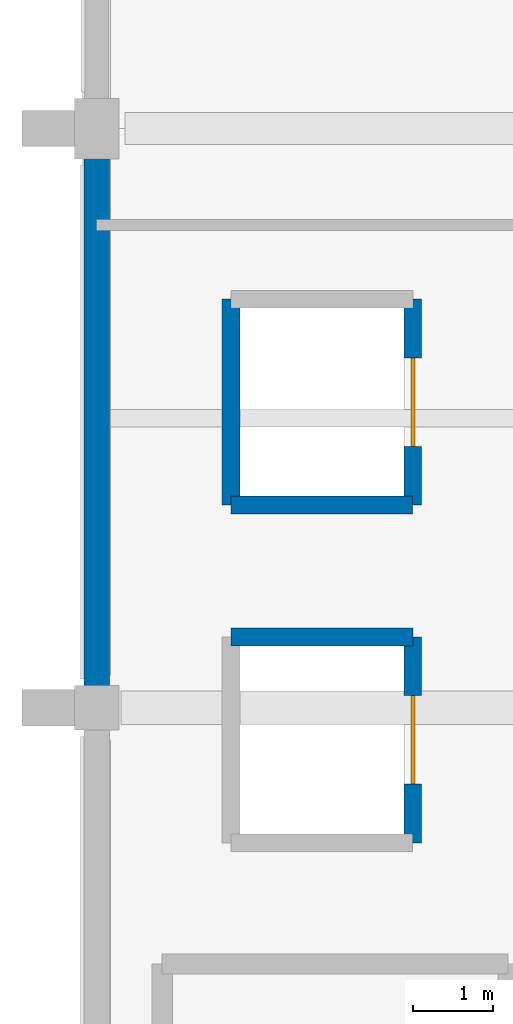
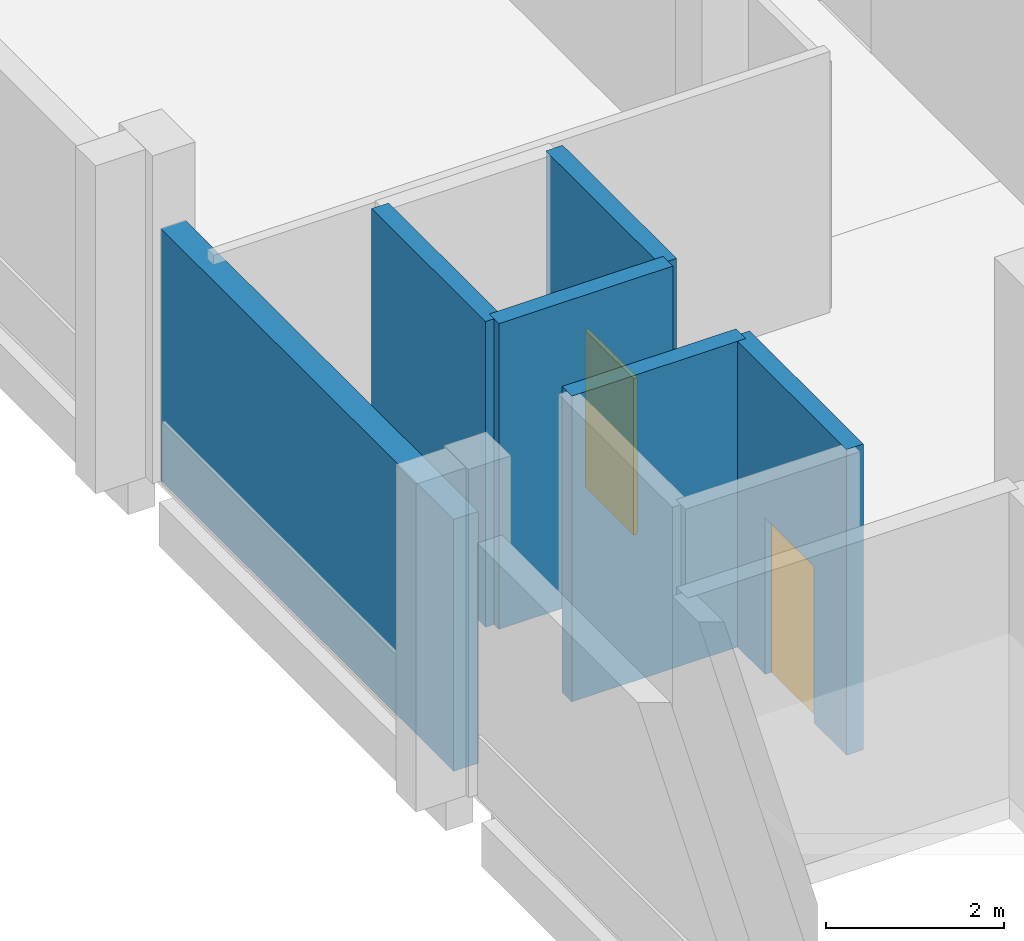
# One storey, part 72 of 87: 6 walls, 2 doors, 2 openings.
"""IFC4 building model written with IfcOpenShell, lengths in metres."""

import ifcopenshell
import ifcopenshell.guid

model = None  # the IFC model being written
_history = None  # IfcOwnerHistory: only IFC2X3 demands one
_inside = {}  # id of a spatial element -> (the spatial element, [elements in it])
_under = {}  # id of a project, library or spatial element -> (it, [spatial elements below it])
_declared = {}  # id of a project -> (the project, [libraries it declares])
_typed = {}  # id of a type object -> (the type object, [elements of that type])
_made_of = {}  # id of a material, layer set ... -> (it, [elements and type objects made of it])


def new_model(schema):
    """Start an empty IFC model of exactly this schema.

    Asked for "IFC4X3", IfcOpenShell would pick the latest addendum, in which some entities
    have other attributes; the version numbers below select the first issue.
    IFC2X3 requires an IfcOwnerHistory on every rooted entity: one is made here for all.
    """
    global model, _history
    if schema == "IFC4X3":
        model = ifcopenshell.file(schema_version=(4, 3, 0, 0))
    else:
        model = ifcopenshell.file(schema=schema)
    _inside.clear()
    _under.clear()
    _declared.clear()
    _typed.clear()
    _made_of.clear()
    _history = None
    if model.schema == "IFC2X3":
        org = make("IfcOrganization", Name="unknown")
        user = make(
            "IfcPersonAndOrganization",
            ThePerson=make("IfcPerson", FamilyName="unknown"),
            TheOrganization=org,
        )
        app = make(
            "IfcApplication",
            ApplicationDeveloper=org,
            Version="unknown",
            ApplicationFullName="unknown",
            ApplicationIdentifier="unknown",
        )
        _history = make(
            "IfcOwnerHistory",
            OwningUser=user,
            OwningApplication=app,
            ChangeAction="ADDED",
            CreationDate=0,
        )
    return model


def make(cls, **values):
    """One entity of the class cls with the attributes given. An attribute that is None is left unset."""
    return model.create_entity(
        cls, **{name: value for name, value in values.items() if value is not None}
    )


def rooted(cls, **values):
    """An entity with a GlobalId (a new one), such as an element, a storey or a relation."""
    return make(cls, GlobalId=ifcopenshell.guid.new(), OwnerHistory=_history, **values)


def si_unit(unit_type, name, prefix=None):
    """IfcSIUnit, for example si_unit("LENGTHUNIT", "METRE", prefix="MILLI")."""
    return make("IfcSIUnit", UnitType=unit_type, Prefix=prefix, Name=name)


def assignment(units):
    """IfcUnitAssignment: the units of a project."""
    return None if units is None else make("IfcUnitAssignment", Units=units)


def point(xyz):
    """IfcCartesianPoint."""
    return None if xyz is None else make("IfcCartesianPoint", Coordinates=xyz)


def direction(xyz):
    """IfcDirection."""
    return None if xyz is None else make("IfcDirection", DirectionRatios=xyz)


def frame(location, z_axis=None, x_axis=None):
    """IfcAxis2Placement3D, a coordinate frame: its origin and axes. An axis left out is left unset."""
    return make(
        "IfcAxis2Placement3D",
        Location=point(location),
        Axis=direction(z_axis),
        RefDirection=direction(x_axis),
    )


def frame_2d(location, x_axis=None):
    """IfcAxis2Placement2D, a coordinate frame in the plane: its origin and x axis."""
    return make(
        "IfcAxis2Placement2D", Location=point(location), RefDirection=direction(x_axis)
    )


def origin():
    """The frame at (0, 0, 0) with its axes left unset."""
    return frame((0.0, 0.0, 0.0))


def place(relative_to, where):
    """IfcLocalPlacement: puts the frame where relative to a parent placement (None: the world)."""
    return make(
        "IfcLocalPlacement", PlacementRelTo=relative_to, RelativePlacement=where
    )


def context(
    kind, dimensions, precision=None, world=None, true_north=None, identifier=None
):
    """IfcGeometricRepresentationContext, for example the 3D "Model" context."""
    return make(
        "IfcGeometricRepresentationContext",
        ContextIdentifier=identifier,
        ContextType=kind,
        CoordinateSpaceDimension=dimensions,
        Precision=precision,
        WorldCoordinateSystem=world,
        TrueNorth=true_north,
    )


def subcontext(parent, identifier, kind, view, scale=None):
    """IfcGeometricRepresentationSubContext, for example "Body" below "Model"."""
    return make(
        "IfcGeometricRepresentationSubContext",
        ContextIdentifier=identifier,
        ContextType=kind,
        ParentContext=parent,
        TargetScale=scale,
        TargetView=view,
    )


def project(units=None, contexts=None):
    """IfcProject with its units and contexts."""
    return rooted(
        "IfcProject",
        Name="project",
        RepresentationContexts=contexts,
        UnitsInContext=assignment(units),
    )


def spatial(cls, under=None, at=None, **own):
    """A site, building, storey or space (cls), placed at a placement, below another one or the project."""
    s = rooted(cls, ObjectPlacement=at, **own)
    if under is not None:
        _under.setdefault(under.id(), (under, []))[1].append(s)
    return s


def profile(cls, at=None, kind="AREA", **sizes):
    """A parametric profile (cls). Its sizes go by their IFC names, for example OverallWidth=200.0."""
    return make(cls, ProfileType=kind, Position=at, **sizes)


def rectangle(**sizes):
    """IfcRectangleProfileDef."""
    return profile("IfcRectangleProfileDef", **sizes)


def extrude(swept, where, along, depth):
    """IfcExtrudedAreaSolid: the profile swept, set in the frame where, extruded along a direction by depth."""
    return make(
        "IfcExtrudedAreaSolid",
        SweptArea=swept,
        Position=where,
        ExtrudedDirection=direction(along),
        Depth=depth,
    )


def shape(context_of_items, identifier, shape_type, items):
    """IfcShapeRepresentation: the items that make up one representation, for example the "Body"."""
    return make(
        "IfcShapeRepresentation",
        ContextOfItems=context_of_items,
        RepresentationIdentifier=identifier,
        RepresentationType=shape_type,
        Items=items,
    )


def material(Name=None, Category=None):
    """IfcMaterial."""
    return make("IfcMaterial", Name=Name, Category=Category)


def layer(
    of_material, thickness, ventilated=None, Name=None, Category=None, Priority=None
):
    """IfcMaterialLayer: one layer of a wall or slab, of a material (None: an air gap)."""
    return make(
        "IfcMaterialLayer",
        Material=of_material,
        LayerThickness=thickness,
        IsVentilated=ventilated,
        Name=Name,
        Category=Category,
        Priority=Priority,
    )


def layer_set(layers, Name=None):
    """IfcMaterialLayerSet."""
    return make("IfcMaterialLayerSet", MaterialLayers=layers, LayerSetName=Name)


def made_of(thing, what):
    """Note that an element or type object is made of a material, layer set ...; save() writes the relation."""
    if what is not None:
        _made_of.setdefault(what.id(), (what, []))[1].append(thing)
    return thing


def type_object(cls, material=None, **own):
    """A type object (cls), such as IfcWallType, which elements share."""
    return made_of(rooted(cls, **own), material)


def element(
    cls,
    number,
    at=None,
    inside=None,
    cuts=None,
    type_object=None,
    material=None,
    context=None,
    identifier="Body",
    shape_type=None,
    held_by="IfcProductDefinitionShape",
    body=None,
    shapes=None,
    **own,
):
    """One element of the class cls, such as IfcWall. Its Tag is "e" and its number.

    at: its placement. inside: the storey or other place that contains it. cuts: it is an
    opening in that element (IfcRelVoidsElement). A single representation is given by context,
    identifier, shape_type and body (its items); several are given by shapes. held_by: the class
    of the entity that holds the representations. save() writes the other relations.
    """
    e = rooted(cls, Tag="e%d" % number, ObjectPlacement=at, **own)
    if body is not None:
        shapes = [shape(context, identifier, shape_type, body)]
    if shapes is not None:
        e.Representation = make(held_by, Representations=shapes)
    if inside is not None:
        _inside.setdefault(inside.id(), (inside, []))[1].append(e)
    if cuts is not None:
        rooted(
            "IfcRelVoidsElement", RelatingBuildingElement=cuts, RelatedOpeningElement=e
        )
    if type_object is not None:
        _typed.setdefault(type_object.id(), (type_object, []))[1].append(e)
    return made_of(e, material)


def fill(opening, filler):
    """IfcRelFillsElement: the door or window that sits in an opening."""
    return rooted(
        "IfcRelFillsElement",
        RelatingOpeningElement=opening,
        RelatedBuildingElement=filler,
    )


def aggregate(whole, parts):
    """IfcRelAggregates: a whole, such as a stair, and the parts it consists of."""
    return rooted("IfcRelAggregates", RelatingObject=whole, RelatedObjects=parts)


def save(model, path):
    """Write the relations noted so far, then the file.

    IfcRelAggregates (storeys below a building ...), IfcRelContainedInSpatialStructure (elements
    in a storey), IfcRelDefinesByType, IfcRelAssociatesMaterial and IfcRelDeclares: one each for
    every whole, place, type object, material and project.
    """
    for whole, parts in _under.values():
        aggregate(whole, parts)
    for where, things in _inside.values():
        rooted(
            "IfcRelContainedInSpatialStructure",
            RelatedElements=things,
            RelatingStructure=where,
        )
    for kind, things in _typed.values():
        rooted("IfcRelDefinesByType", RelatedObjects=things, RelatingType=kind)
    for what, things in _made_of.values():
        rooted("IfcRelAssociatesMaterial", RelatedObjects=things, RelatingMaterial=what)
    for by, libraries in _declared.values():
        rooted("IfcRelDeclares", RelatingContext=by, RelatedDefinitions=libraries)
    model.write(path)


model = new_model("IFC4")

# Units and contexts
model_context = context("Model", 3, precision=1e-05, world=origin(), true_north=direction((0.0, 1.0)))
body_context = subcontext(model_context, "Body", "Model", "MODEL_VIEW")
ifc_project = project(units=[si_unit("LENGTHUNIT", "METRE"), si_unit("AREAUNIT", "SQUARE_METRE"), si_unit("VOLUMEUNIT", "CUBIC_METRE"), si_unit("PLANEANGLEUNIT", "RADIAN"), si_unit("MASSUNIT", "GRAM", prefix="KILO")], contexts=[model_context])

# Site, building, storey
site_placement = place(None, origin())
site = spatial("IfcSite", under=ifc_project, at=site_placement, CompositionType="ELEMENT")
building_placement = place(site_placement, origin())
building = spatial("IfcBuilding", under=site, at=building_placement, Name="Kalluvel Institute of Natural Sciences", CompositionType="ELEMENT")
storey_placement = place(building_placement, frame((0.0, 0.0, 18.89990234375)))
storey = spatial("IfcBuildingStorey", under=building, at=storey_placement, Name="L04", CompositionType="ELEMENT", Elevation=18.89990234375)

# Wall
ifc_material_1 = material(Name="Sadarahalli Grey Granite Ashlar Concrete M40", Category="masonry")
ifc_layer_1 = layer(ifc_material_1, 0.320068359375)
ifc_layer_set_1 = layer_set([ifc_layer_1], Name="Sadarahalli Grey Granite Ashlar Concrete M40")
wall_type_1 = type_object("IfcWallType", Name="WL-EXT-320", PredefinedType="SOLIDWALL", material=ifc_layer_set_1)
wall_1_placement = place(storey_placement, frame((14.0, 57.455078125, 0.0), z_axis=(0.0, 0.0, 1.0), x_axis=(0.0, 1.0, 0.0)))
element("IfcWall", 1, at=wall_1_placement, inside=storey, type_object=wall_type_1, Name="L04 Sadarahalli granite exterior wall WL-EXT-L04-0184", PredefinedType="SOLIDWALL", context=body_context, shape_type="SweptSolid", body=[
    extrude(rectangle(XDim=6.58984375, YDim=0.320068359375, at=frame_2d((3.294921875, 0.0))), origin(), (0.0, 0.0, 1.0), 3.455078125),
])

# Wall, opening, door
ifc_material_2 = material(Name="Concrete M40", Category="concrete")
ifc_layer_2 = layer(ifc_material_2, 0.219970703125)
ifc_layer_set_2 = layer_set([ifc_layer_2], Name="Concrete M40")
wall_type_2 = type_object("IfcWallType", Name="WL-SHAFT-220", PredefinedType="SHEAR", material=ifc_layer_set_2)
wall_2_placement = place(storey_placement, frame((17.929931640625, 55.52001953125, 0.0), z_axis=(0.0, 0.0, 1.0), x_axis=(0.0, 1.0, 0.0)))
wall_2 = element("IfcWall", 2, at=wall_2_placement, inside=storey, type_object=wall_type_2, Name="LF6 L04 lift shaft wall", PredefinedType="SHEAR", context=body_context, shape_type="SweptSolid", body=[
    extrude(rectangle(XDim=2.56005859375, YDim=0.219970703125, at=frame_2d((1.280029296875, 0.0))), origin(), (0.0, 0.0, 1.0), 4.195068359375),
])
opening_1_placement = place(wall_2_placement, frame((0.72998046875, 0.0, 0.0)))
opening_1 = element("IfcOpeningElement", 3, at=opening_1_placement, cuts=wall_2, Name="Opening LD-048", PredefinedType="OPENING", context=body_context, shape_type="SweptSolid", body=[
    extrude(rectangle(XDim=1.10009765625, YDim=2.14990234375, at=frame_2d((0.550048828125, 1.074951171875))), frame((0.0, 0.119873046875, 0.0), z_axis=(0.0, -1.0, 0.0), x_axis=(1.0, 0.0, 0.0)), (0.0, 0.0, 1.0), 0.239990234375),
])
ifc_material_3 = material(Name="Galvanized Fire-Rated Steel", Category="steel")
door_type = type_object("IfcDoorType", Name="DR-LD-1100", OperationType="NOTDEFINED", PredefinedType="DOOR", material=ifc_material_3)
door_1_placement = place(opening_1_placement, origin())
door_1 = element("IfcDoor", 4, at=door_1_placement, inside=storey, type_object=door_type, Name="LF6 L04 sliding lift landing door LD-048", OperationType="DOUBLE_DOOR_SLIDING", OverallHeight=2.14990234375, OverallWidth=1.10009765625, PredefinedType="DOOR", context=body_context, shape_type="SweptSolid", body=[
    extrude(rectangle(XDim=1.10009765625, YDim=2.14990234375, at=frame_2d((0.550048828125, 1.074951171875))), frame((0.0, 0.02490234375, 0.0), z_axis=(0.0, -1.0, 0.0), x_axis=(1.0, 0.0, 0.0)), (0.0, 0.0, 1.0), 0.050048828125),
])
fill(opening_1, door_1)

# Walls
for number, where, z_axis, x_axis, name in (
    (5, (17.929931640625, 58.080078125, 0.0), (0.0, 0.0, 1.0), (-1.0, 0.0, 0.0), "LF6 L04 lift shaft wall"),
    (6, (15.669921875, 59.719970703125, 0.0), (0.0, 0.0, 1.0), (1.0, 0.0, 0.0), "LF7 L04 lift shaft wall"),
):
    element("IfcWall", number, at=place(storey_placement, frame(where, z_axis=z_axis, x_axis=x_axis)), inside=storey, type_object=wall_type_2, Name=name, PredefinedType="SHEAR", context=body_context, shape_type="SweptSolid", body=[
        extrude(rectangle(XDim=2.260009765625, YDim=0.219970703125, at=frame_2d((1.1298828125, 0.0))), origin(), (0.0, 0.0, 1.0), 4.195068359375),
    ])

# Wall, opening, door
wall_3_placement = place(storey_placement, frame((17.929931640625, 59.719970703125, 0.0), z_axis=(0.0, 0.0, 1.0), x_axis=(0.0, 1.0, 0.0)))
wall_3 = element("IfcWall", 7, at=wall_3_placement, inside=storey, type_object=wall_type_2, Name="LF7 L04 lift shaft wall", PredefinedType="SHEAR", context=body_context, shape_type="SweptSolid", body=[
    extrude(rectangle(XDim=2.56005859375, YDim=0.219970703125, at=frame_2d((1.280029296875, 0.0))), origin(), (0.0, 0.0, 1.0), 4.195068359375),
])
opening_2_placement = place(wall_3_placement, frame((0.72998046875, 0.0, 0.0)))
opening_2 = element("IfcOpeningElement", 8, at=opening_2_placement, cuts=wall_3, Name="Opening LD-056", PredefinedType="OPENING", context=body_context, shape_type="SweptSolid", body=[
    extrude(rectangle(XDim=1.10009765625, YDim=2.14990234375, at=frame_2d((0.550048828125, 1.074951171875))), frame((0.0, 0.119873046875, 0.0), z_axis=(0.0, -1.0, 0.0), x_axis=(1.0, 0.0, 0.0)), (0.0, 0.0, 1.0), 0.239990234375),
])
door_2_placement = place(opening_2_placement, origin())
door_2 = element("IfcDoor", 9, at=door_2_placement, inside=storey, type_object=door_type, Name="LF7 L04 sliding lift landing door LD-056", OperationType="DOUBLE_DOOR_SLIDING", OverallHeight=2.14990234375, OverallWidth=1.10009765625, PredefinedType="DOOR", context=body_context, shape_type="SweptSolid", body=[
    extrude(rectangle(XDim=1.10009765625, YDim=2.14990234375, at=frame_2d((0.550048828125, 1.074951171875))), frame((0.0, 0.02490234375, 0.0), z_axis=(0.0, -1.0, 0.0), x_axis=(1.0, 0.0, 0.0)), (0.0, 0.0, 1.0), 0.050048828125),
])
fill(opening_2, door_2)

# Wall
wall_4_placement = place(storey_placement, frame((15.669921875, 62.280029296875, 0.0), z_axis=(0.0, 0.0, 1.0), x_axis=(0.0, -1.0, 0.0)))
element("IfcWall", 10, at=wall_4_placement, inside=storey, type_object=wall_type_2, Name="LF7 L04 lift shaft wall", PredefinedType="SHEAR", context=body_context, shape_type="SweptSolid", body=[
    extrude(rectangle(XDim=2.56005859375, YDim=0.219970703125, at=frame_2d((1.280029296875, 0.0))), origin(), (0.0, 0.0, 1.0), 4.195068359375),
])

save(model, "model.ifc")
